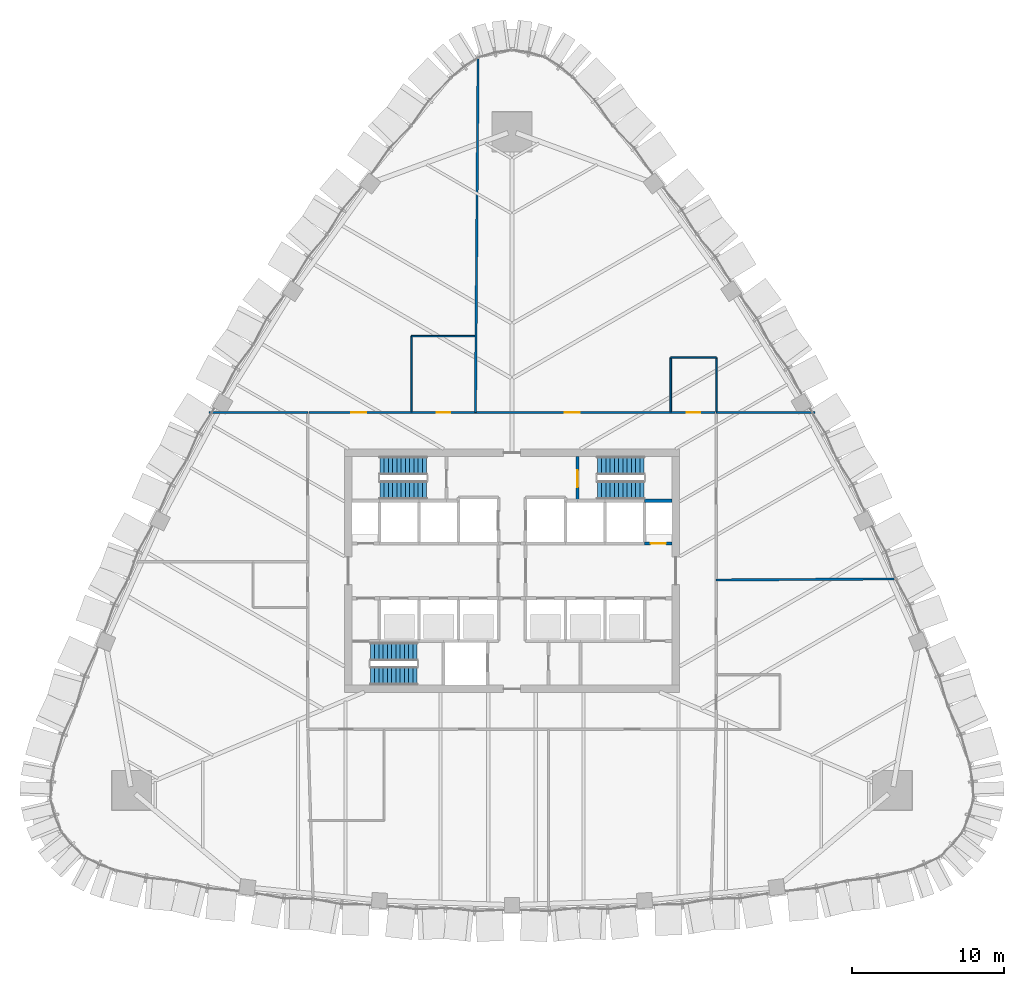
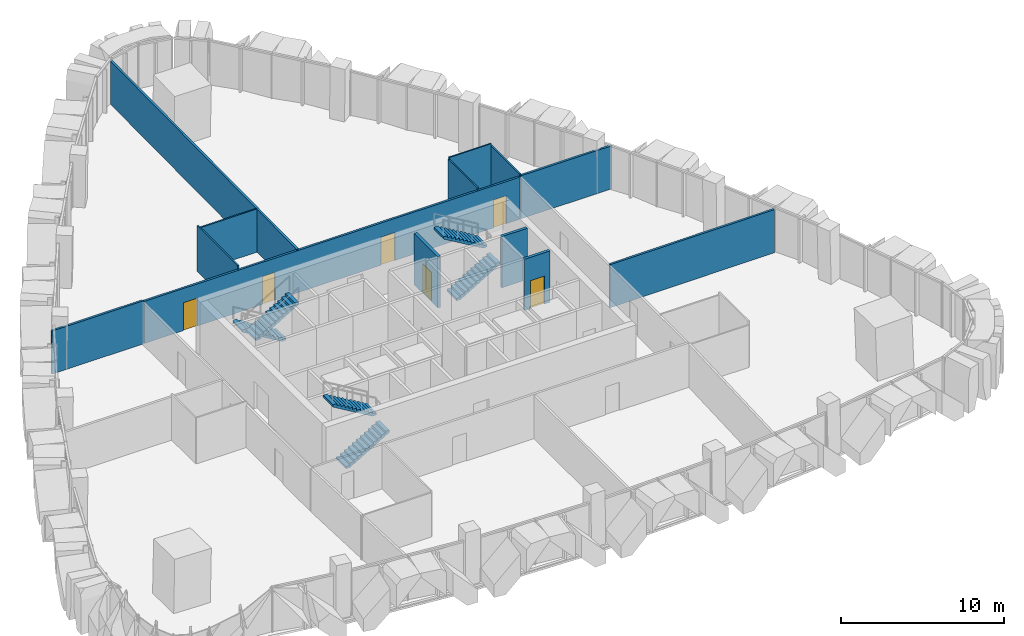
# One storey, part 14 of 18: 13 walls, 6 doors, 6 stair flights, 6 openings, 3 elements without a shape of their own.
"""IFC4 building model written with IfcOpenShell, lengths in metres."""

from ifc_helpers import new_model, si_unit, direction, frame, frame_2d, origin, place, context, subcontext, project, spatial, polyline, rectangle, outline, extrude, material, layer, layer_set, type_object, element, fill, aggregate, save


model = new_model("IFC4")

# Units and contexts
model_context = context("Model", 3, precision=1e-05, world=origin(), true_north=direction((0.0, 1.0)))
body_context = subcontext(model_context, "Body", "Model", "MODEL_VIEW")
ifc_project = project(units=[si_unit("LENGTHUNIT", "METRE"), si_unit("AREAUNIT", "SQUARE_METRE"), si_unit("VOLUMEUNIT", "CUBIC_METRE"), si_unit("PLANEANGLEUNIT", "RADIAN"), si_unit("MASSUNIT", "GRAM", prefix="KILO")], contexts=[model_context])

# Site, building, storey
site_placement = place(None, origin())
site = spatial("IfcSite", under=ifc_project, at=site_placement, CompositionType="ELEMENT")
building_placement = place(site_placement, origin())
building = spatial("IfcBuilding", under=site, at=building_placement, Name="Sierra Prisma Convention Tower", CompositionType="ELEMENT")
storey_placement = place(building_placement, frame((0.0, 0.0, 129.800048828125)))
storey = spatial("IfcBuildingStorey", under=building, at=storey_placement, Name="L27", CompositionType="ELEMENT", Elevation=129.800048828125)

# Walls
ifc_material_1 = material(Name="Gypsum board partition", Category="gypsum")
ifc_layer_1 = layer(ifc_material_1, 0.10009765625)
ifc_layer_set_1 = layer_set([ifc_layer_1], Name="Bathroom partition 100")
wall_type_1 = type_object("IfcWallType", Name="Bathroom partition 100", PredefinedType="PARTITIONING", material=ifc_layer_set_1)
wall_1_placement = place(storey_placement, frame((-6.60009765625, 10.429931640625, 0.0), z_axis=(0.0, 0.0, 1.0), x_axis=(0.0, 1.0, 0.0)))
element("IfcWall", 1, at=wall_1_placement, inside=storey, type_object=wall_type_1, Name="Partition L27 bath 5", PredefinedType="PARTITIONING", context=body_context, shape_type="SweptSolid", body=[
    extrude(rectangle(XDim=4.969970703125, YDim=0.10009765625, at=frame_2d((2.48486328125, 0.0))), origin(), (0.0, 0.0, 1.0), 3.449951171875),
])
wall_2_placement = place(storey_placement, frame((-6.60009765625, 15.39990234375, 0.0), z_axis=(0.0, 0.0, 1.0), x_axis=(1.0, 0.0, 0.0)))
element("IfcWall", 2, at=wall_2_placement, inside=storey, type_object=wall_type_1, Name="Partition L27 bath 6", PredefinedType="PARTITIONING", context=body_context, shape_type="SweptSolid", body=[
    extrude(rectangle(XDim=4.170166015625, YDim=0.10009765625, at=frame_2d((2.0849609375, 0.0))), origin(), (0.0, 0.0, 1.0), 3.2470703125),
])
wall_3_placement = place(storey_placement, frame((10.419921875, 10.429931640625, 0.0), z_axis=(0.0, 0.0, 1.0), x_axis=(0.0, 1.0, 0.0)))
element("IfcWall", 3, at=wall_3_placement, inside=storey, type_object=wall_type_1, Name="Partition L27 bath 7", PredefinedType="PARTITIONING", context=body_context, shape_type="SweptSolid", body=[
    extrude(rectangle(XDim=3.570068359375, YDim=0.10009765625, at=frame_2d((1.78515625, 0.0))), origin(), (0.0, 0.0, 1.0), 3.31689453125),
])
wall_4_placement = place(storey_placement, frame((10.419921875, 14.0, 0.0), z_axis=(0.0, 0.0, 1.0), x_axis=(1.0, 0.0, 0.0)))
element("IfcWall", 4, at=wall_4_placement, inside=storey, type_object=wall_type_1, Name="Partition L27 bath 8", PredefinedType="PARTITIONING", context=body_context, shape_type="SweptSolid", body=[
    extrude(rectangle(XDim=3.0, YDim=0.10009765625, at=frame_2d((1.5, 0.0))), origin(), (0.0, 0.0, 1.0), 3.449951171875),
])
wall_5_placement = place(storey_placement, frame((13.419921875, 14.0, 0.0), z_axis=(0.0, 0.0, 1.0), x_axis=(0.0, -1.0, 0.0)))
element("IfcWall", 5, at=wall_5_placement, inside=storey, type_object=wall_type_1, Name="Partition L27 bath 9", PredefinedType="PARTITIONING", context=body_context, shape_type="SweptSolid", body=[
    extrude(rectangle(XDim=3.570068359375, YDim=0.10009765625, at=frame_2d((1.78515625, 0.0))), origin(), (0.0, 0.0, 1.0), 3.31689453125),
])

# Wall, opening, door
ifc_material_2 = material(Name="Concrete C30/37", Category="concrete")
ifc_layer_2 = layer(ifc_material_2, 0.199951171875)
ifc_layer_set_2 = layer_set([ifc_layer_2], Name="Core wall RC 200 C30/37")
wall_type_2 = type_object("IfcWallType", Name="Core wall RC 200 C30/37", PredefinedType="SOLIDWALL", material=ifc_layer_set_2)
wall_6_placement = place(storey_placement, frame((4.300048828125, 7.5, 0.0), z_axis=(0.0, 0.0, 1.0), x_axis=(0.0, -1.0, 0.0)))
wall_6 = element("IfcWall", 6, at=wall_6_placement, inside=storey, type_object=wall_type_2, Name="Core wall L27 52", PredefinedType="SOLIDWALL", context=body_context, shape_type="SweptSolid", body=[
    extrude(rectangle(XDim=2.89990234375, YDim=0.199951171875, at=frame_2d((1.449951171875, 0.0))), origin(), (0.0, 0.0, 1.0), 3.849853515625),
])
opening_1_placement = place(wall_6_placement, frame((0.89990234375, 0.0, 0.0)))
opening_1 = element("IfcOpeningElement", 7, at=opening_1_placement, cuts=wall_6, Name="Opening L27-D019", PredefinedType="OPENING", context=body_context, shape_type="SweptSolid", body=[
    extrude(rectangle(XDim=1.10009765625, YDim=2.10009765625, at=frame_2d((0.550048828125, 1.050048828125))), frame((0.0, 0.10009765625, 0.0), z_axis=(0.0, -1.0, 0.0), x_axis=(1.0, 0.0, 0.0)), (0.0, 0.0, 1.0), 0.199951171875),
])
ifc_material_3 = material(Name="Steel fire door leaf", Category="steel")
door_type_1 = type_object("IfcDoorType", Name="Door 1100x2100 FD90S", OperationType="SINGLE_SWING_LEFT", PredefinedType="DOOR", material=ifc_material_3)
door_1_placement = place(opening_1_placement, origin())
door_1 = element("IfcDoor", 8, at=door_1_placement, inside=storey, type_object=door_type_1, Name="Door L27 32", OperationType="SINGLE_SWING_RIGHT", OverallHeight=2.10009765625, OverallWidth=1.10009765625, PredefinedType="DOOR", context=body_context, shape_type="SweptSolid", body=[
    extrude(rectangle(XDim=1.10009765625, YDim=2.10009765625, at=frame_2d((0.550048828125, 1.050048828125))), frame((0.0, 0.02490234375, 0.0), z_axis=(0.0, -1.0, 0.0), x_axis=(1.0, 0.0, 0.0)), (0.0, 0.0, 1.0), 0.050048828125),
])
fill(opening_1, door_1)

wall_7_placement = place(storey_placement, frame((10.5, 1.800048828125, 0.0), z_axis=(0.0, 0.0, 1.0), x_axis=(-1.0, 0.0, 0.0)))
wall_7 = element("IfcWall", 9, at=wall_7_placement, inside=storey, type_object=wall_type_2, Name="Core wall L27 64", PredefinedType="SOLIDWALL", context=body_context, shape_type="SweptSolid", body=[
    extrude(rectangle(XDim=1.800048828125, YDim=0.199951171875, at=frame_2d((0.89990234375, 0.0))), origin(), (0.0, 0.0, 1.0), 3.849853515625),
])
opening_2_placement = place(wall_7_placement, frame((0.39990234375, 0.0, 0.0)))
opening_2 = element("IfcOpeningElement", 10, at=opening_2_placement, cuts=wall_7, Name="Opening L27-D016", PredefinedType="OPENING", context=body_context, shape_type="SweptSolid", body=[
    extrude(rectangle(XDim=1.0, YDim=2.10009765625, at=frame_2d((0.5, 1.050048828125))), frame((0.0, 0.10009765625, 0.0), z_axis=(0.0, -1.0, 0.0), x_axis=(1.0, 0.0, 0.0)), (0.0, 0.0, 1.0), 0.199951171875),
])
ifc_material_4 = material(Name="Steel fire door leaf", Category="steel")
door_type_2 = type_object("IfcDoorType", Name="Door 1000x2100 FD60S", OperationType="SINGLE_SWING_LEFT", PredefinedType="DOOR", material=ifc_material_4)
door_2_placement = place(opening_2_placement, origin())
door_2 = element("IfcDoor", 11, at=door_2_placement, inside=storey, type_object=door_type_2, Name="Door L27 29", OperationType="SINGLE_SWING_LEFT", OverallHeight=2.10009765625, OverallWidth=1.0, PredefinedType="DOOR", context=body_context, shape_type="SweptSolid", body=[
    extrude(rectangle(XDim=1.0, YDim=2.10009765625, at=frame_2d((0.5, 1.050048828125))), frame((0.0, 0.02490234375, 0.0), z_axis=(0.0, -1.0, 0.0), x_axis=(1.0, 0.0, 0.0)), (0.0, 0.0, 1.0), 0.050048828125),
])
fill(opening_2, door_2)

# Wall
wall_8_placement = place(storey_placement, frame((10.5, 4.60009765625, 0.0), z_axis=(0.0, 0.0, 1.0), x_axis=(-1.0, 0.0, 0.0)))
element("IfcWall", 12, at=wall_8_placement, inside=storey, type_object=wall_type_2, Name="Core wall L27 66", PredefinedType="SOLIDWALL", context=body_context, shape_type="SweptSolid", body=[
    extrude(rectangle(XDim=1.800048828125, YDim=0.199951171875, at=frame_2d((0.89990234375, 0.0))), origin(), (0.0, 0.0, 1.0), 3.849853515625),
])

# Wall, openings, doors
ifc_material_5 = material(Name="Gypsum board partition", Category="gypsum")
ifc_layer_3 = layer(ifc_material_5, 0.14990234375)
ifc_layer_set_3 = layer_set([ifc_layer_3], Name="Corridor wall 150 gypsum EI 60")
wall_type_3 = type_object("IfcWallType", Name="Corridor wall 150 gypsum EI 60", PredefinedType="PARTITIONING", material=ifc_layer_set_3)
wall_9_placement = place(storey_placement, frame((13.320068359375, 10.39990234375, 0.0), z_axis=(0.0, 0.0, 1.0), x_axis=(-1.0, 0.0, 0.0)))
wall_9 = element("IfcWall", 13, at=wall_9_placement, inside=storey, type_object=wall_type_3, Name="Partition L27 corr 3", PredefinedType="PARTITIONING", context=body_context, shape_type="SweptSolid", body=[
    extrude(rectangle(XDim=26.64013671875, YDim=0.14990234375, at=frame_2d((13.320068359375, 0.0))), origin(), (0.0, 0.0, 1.0), 3.166015625),
])
opening_3_placement = place(wall_9_placement, frame((0.949951171875, 0.0, 0.0)))
opening_3 = element("IfcOpeningElement", 14, at=opening_3_placement, cuts=wall_9, Name="Opening L27-D024", PredefinedType="OPENING", context=body_context, shape_type="SweptSolid", body=[
    extrude(rectangle(XDim=0.89990234375, YDim=2.10009765625, at=frame_2d((0.449951171875, 1.050048828125))), frame((0.0, 0.074951171875, 0.0), z_axis=(0.0, -1.0, 0.0), x_axis=(1.0, 0.0, 0.0)), (0.0, 0.0, 1.0), 0.14990234375),
])
opening_4_placement = place(wall_9_placement, frame((8.860107421875, 0.0, 0.0)))
opening_4 = element("IfcOpeningElement", 15, at=opening_4_placement, cuts=wall_9, Name="Opening L27-D025", PredefinedType="OPENING", context=body_context, shape_type="SweptSolid", body=[
    extrude(rectangle(XDim=1.0, YDim=2.10009765625, at=frame_2d((0.5, 1.050048828125))), frame((0.0, 0.074951171875, 0.0), z_axis=(0.0, -1.0, 0.0), x_axis=(1.0, 0.0, 0.0)), (0.0, 0.0, 1.0), 0.14990234375),
])
opening_5_placement = place(wall_9_placement, frame((17.3701171875, 0.0, 0.0)))
opening_5 = element("IfcOpeningElement", 16, at=opening_5_placement, cuts=wall_9, Name="Opening L27-D026", PredefinedType="OPENING", context=body_context, shape_type="SweptSolid", body=[
    extrude(rectangle(XDim=0.89990234375, YDim=2.10009765625, at=frame_2d((0.449951171875, 1.050048828125))), frame((0.0, 0.074951171875, 0.0), z_axis=(0.0, -1.0, 0.0), x_axis=(1.0, 0.0, 0.0)), (0.0, 0.0, 1.0), 0.14990234375),
])
opening_6_placement = place(wall_9_placement, frame((22.8798828125, 0.0, 0.0)))
opening_6 = element("IfcOpeningElement", 17, at=opening_6_placement, cuts=wall_9, Name="Opening L27-D027", PredefinedType="OPENING", context=body_context, shape_type="SweptSolid", body=[
    extrude(rectangle(XDim=1.0, YDim=2.10009765625, at=frame_2d((0.5, 1.050048828125))), frame((0.0, 0.074951171875, 0.0), z_axis=(0.0, -1.0, 0.0), x_axis=(1.0, 0.0, 0.0)), (0.0, 0.0, 1.0), 0.14990234375),
])
ifc_material_6 = material(Name="Steel fire door leaf", Category="steel")
door_type_3 = type_object("IfcDoorType", Name="Door 1000x2100 FD30S", OperationType="SINGLE_SWING_LEFT", PredefinedType="DOOR", material=ifc_material_6)
door_3_placement = place(opening_4_placement, origin())
door_3 = element("IfcDoor", 18, at=door_3_placement, inside=storey, type_object=door_type_3, Name="Door L27 3", OperationType="SINGLE_SWING_RIGHT", OverallHeight=2.10009765625, OverallWidth=1.0, PredefinedType="DOOR", context=body_context, shape_type="SweptSolid", body=[
    extrude(rectangle(XDim=1.0, YDim=2.10009765625, at=frame_2d((0.5, 1.050048828125))), frame((0.0, 0.02490234375, 0.0), z_axis=(0.0, -1.0, 0.0), x_axis=(1.0, 0.0, 0.0)), (0.0, 0.0, 1.0), 0.050048828125),
])
fill(opening_4, door_3)
door_4_placement = place(opening_6_placement, origin())
door_4 = element("IfcDoor", 19, at=door_4_placement, inside=storey, type_object=door_type_3, Name="Door L27 5", OperationType="SINGLE_SWING_RIGHT", OverallHeight=2.10009765625, OverallWidth=1.0, PredefinedType="DOOR", context=body_context, shape_type="SweptSolid", body=[
    extrude(rectangle(XDim=1.0, YDim=2.10009765625, at=frame_2d((0.5, 1.050048828125))), frame((0.0, 0.02490234375, 0.0), z_axis=(0.0, -1.0, 0.0), x_axis=(1.0, 0.0, 0.0)), (0.0, 0.0, 1.0), 0.050048828125),
])
fill(opening_6, door_4)
ifc_material_7 = material(Name="Steel fire door leaf", Category="steel")
door_type_4 = type_object("IfcDoorType", Name="Door 900x2100 FD30S", OperationType="SINGLE_SWING_LEFT", PredefinedType="DOOR", material=ifc_material_7)
door_5_placement = place(opening_3_placement, origin())
door_5 = element("IfcDoor", 20, at=door_5_placement, inside=storey, type_object=door_type_4, Name="Door L27 2", OperationType="SINGLE_SWING_LEFT", OverallHeight=2.10009765625, OverallWidth=0.89990234375, PredefinedType="DOOR", context=body_context, shape_type="SweptSolid", body=[
    extrude(rectangle(XDim=0.89990234375, YDim=2.10009765625, at=frame_2d((0.449951171875, 1.050048828125))), frame((0.0, 0.02490234375, 0.0), z_axis=(0.0, -1.0, 0.0), x_axis=(1.0, 0.0, 0.0)), (0.0, 0.0, 1.0), 0.050048828125),
])
fill(opening_3, door_5)
door_6_placement = place(opening_5_placement, origin())
door_6 = element("IfcDoor", 21, at=door_6_placement, inside=storey, type_object=door_type_4, Name="Door L27 4", OperationType="SINGLE_SWING_RIGHT", OverallHeight=2.10009765625, OverallWidth=0.89990234375, PredefinedType="DOOR", context=body_context, shape_type="SweptSolid", body=[
    extrude(rectangle(XDim=0.89990234375, YDim=2.10009765625, at=frame_2d((0.449951171875, 1.050048828125))), frame((0.0, 0.02490234375, 0.0), z_axis=(0.0, -1.0, 0.0), x_axis=(1.0, 0.0, 0.0)), (0.0, 0.0, 1.0), 0.050048828125),
])
fill(opening_5, door_6)

# Walls
ifc_material_8 = material(Name="Gypsum board partition", Category="gypsum")
ifc_layer_4 = layer(ifc_material_8, 0.14990234375)
ifc_layer_set_4 = layer_set([ifc_layer_4], Name="Party wall 150 gypsum")
wall_type_4 = type_object("IfcWallType", Name="Party wall 150 gypsum", PredefinedType="PARTITIONING", material=ifc_layer_set_4)
wall_10_placement = place(storey_placement, frame((-13.39990234375, 10.39990234375, 0.0), z_axis=(0.0, 0.0, 1.0), x_axis=(-1.0, 0.0, 0.0)))
element("IfcWall", 22, at=wall_10_placement, inside=storey, type_object=wall_type_4, Name="Partition L27 party 2", PredefinedType="PARTITIONING", context=body_context, shape_type="SweptSolid", body=[
    extrude(rectangle(XDim=6.47998046875, YDim=0.14990234375, at=frame_2d((3.239990234375, 0.0))), origin(), (0.0, 0.0, 1.0), 3.23388671875),
])
wall_11_placement = place(storey_placement, frame((-2.39990234375, 10.39990234375, 0.0), z_axis=(0.0, 0.0, 1.0), x_axis=(0.007511702972, 0.999971786761, 0.0)))
element("IfcWall", 23, at=wall_11_placement, inside=storey, type_object=wall_type_4, Name="Partition L27 party 4", PredefinedType="PARTITIONING", context=body_context, shape_type="SweptSolid", body=[
    extrude(rectangle(XDim=23.2060546875, YDim=0.14990234375, at=frame_2d((11.60302734375, 0.0))), origin(), (0.0, 0.0, 1.0), 3.23388671875),
])
wall_12_placement = place(storey_placement, frame((25.10400390625, -0.530517578125, 0.0), z_axis=(0.0, 0.0, 1.0), x_axis=(-0.999982329365, -0.005944826113, 0.0)))
element("IfcWall", 24, at=wall_12_placement, inside=storey, type_object=wall_type_4, Name="Partition L27 party 7", PredefinedType="PARTITIONING", context=body_context, shape_type="SweptSolid", body=[
    extrude(rectangle(XDim=11.704345703125, YDim=0.14990234375, at=frame_2d((5.85205078125, 0.0))), origin(), (0.0, 0.0, 1.0), 3.23388671875),
])
wall_13_placement = place(storey_placement, frame((13.39990234375, 10.39990234375, 0.0), z_axis=(0.0, 0.0, 1.0), x_axis=(1.0, 0.0, 0.0)))
element("IfcWall", 25, at=wall_13_placement, inside=storey, type_object=wall_type_4, Name="Partition L27 party 8", PredefinedType="PARTITIONING", context=body_context, shape_type="SweptSolid", body=[
    extrude(rectangle(XDim=6.47998046875, YDim=0.14990234375, at=frame_2d((3.239990234375, 0.0))), origin(), (0.0, 0.0, 1.0), 3.23388671875),
])

# Stair, stair flights
ifc_material_9 = material(Name="Concrete C30/37", Category="concrete")
stair_type = type_object("IfcStairType", Name="Stair dog-leg 1200 RC", PredefinedType="HALF_TURN_STAIR", material=ifc_material_9)
stair_1_placement = place(storey_placement, origin())
stair_1 = element("IfcStair", 26, at=stair_1_placement, inside=storey, type_object=stair_type, Name="L27 S1", PredefinedType="HALF_TURN_STAIR")
ifc_material_10 = material(Name="Concrete C30/37", Category="concrete")
stair_flight_type = type_object("IfcStairFlightType", Name="Stair flight RC 1200", PredefinedType="STRAIGHT", material=ifc_material_10)
stair_flight_1_placement = place(storey_placement, frame((-9.300048828125, -6.89990234375, 0.0), z_axis=(0.0, 0.0, 1.0), x_axis=(1.0, 0.0, 0.0)))
stair_flight_1 = element("IfcStairFlight", 27, at=stair_flight_1_placement, type_object=stair_flight_type, Name="S1 flight 1", NumberOfRisers=12, NumberOfTreads=11, PredefinedType="STRAIGHT", RiserHeight=0.166666667, TreadLength=0.28, context=body_context, shape_type="SweptSolid", body=[
    extrude(outline(polyline([(0.0, 0.0), (0.0, 0.166748046875), (0.280029296875, 0.166748046875), (0.280029296875, 0.333251953125), (0.56005859375, 0.333251953125), (0.56005859375, 0.5), (0.840087890625, 0.5), (0.840087890625, 0.666748046875), (1.1201171875, 0.666748046875), (1.1201171875, 0.833251953125), (1.39990234375, 0.833251953125), (1.39990234375, 1.0), (1.679931640625, 1.0), (1.679931640625, 1.166748046875), (1.9599609375, 1.166748046875), (1.9599609375, 1.333251953125), (2.239990234375, 1.333251953125), (2.239990234375, 1.5), (2.52001953125, 1.5), (2.52001953125, 1.666748046875), (2.800048828125, 1.666748046875), (2.800048828125, 1.833251953125), (3.080078125, 1.833251953125), (3.080078125, 2.0), (3.080078125, 1.658935546875), (0.29296875, 0.0), (0.0, 0.0)])), frame((0.0, 0.60009765625, 0.0), z_axis=(0.0, -1.0, 0.0), x_axis=(1.0, 0.0, 0.0)), (0.0, 0.0, 1.0), 1.199951171875),
])
stair_flight_2_placement = place(storey_placement, frame((-6.219970703125, -5.300048828125, 2.0), z_axis=(0.0, 0.0, 1.0), x_axis=(-1.0, 0.0, 0.0)))
stair_flight_2 = element("IfcStairFlight", 28, at=stair_flight_2_placement, type_object=stair_flight_type, Name="S1 flight 2", NumberOfRisers=12, NumberOfTreads=11, PredefinedType="STRAIGHT", RiserHeight=0.166666667, TreadLength=0.28, context=body_context, shape_type="SweptSolid", body=[
    extrude(outline(polyline([(0.0, 0.0), (0.0, 0.166748046875), (0.280029296875, 0.166748046875), (0.280029296875, 0.333251953125), (0.56005859375, 0.333251953125), (0.56005859375, 0.5), (0.840087890625, 0.5), (0.840087890625, 0.666748046875), (1.1201171875, 0.666748046875), (1.1201171875, 0.833251953125), (1.39990234375, 0.833251953125), (1.39990234375, 1.0), (1.679931640625, 1.0), (1.679931640625, 1.166748046875), (1.9599609375, 1.166748046875), (1.9599609375, 1.333251953125), (2.239990234375, 1.333251953125), (2.239990234375, 1.5), (2.52001953125, 1.5), (2.52001953125, 1.666748046875), (2.800048828125, 1.666748046875), (2.800048828125, 1.833251953125), (3.080078125, 1.833251953125), (3.080078125, 2.0), (3.080078125, 1.658935546875), (0.29296875, 0.0), (0.0, 0.0)])), frame((0.0, 0.60009765625, 0.0), z_axis=(0.0, -1.0, 0.0), x_axis=(1.0, 0.0, 0.0)), (0.0, 0.0, 1.0), 1.199951171875),
])
aggregate(stair_1, [stair_flight_1, stair_flight_2])

stair_2_placement = place(storey_placement, origin())
stair_2 = element("IfcStair", 29, at=stair_2_placement, inside=storey, type_object=stair_type, Name="L27 S3", PredefinedType="HALF_TURN_STAIR")
stair_flight_3_placement = place(storey_placement, frame((-5.60009765625, 6.89990234375, 0.0), z_axis=(0.0, 0.0, 1.0), x_axis=(-1.0, 0.0, 0.0)))
stair_flight_3 = element("IfcStairFlight", 30, at=stair_flight_3_placement, type_object=stair_flight_type, Name="S3 flight 1", NumberOfRisers=12, NumberOfTreads=11, PredefinedType="STRAIGHT", RiserHeight=0.166666667, TreadLength=0.28, context=body_context, shape_type="SweptSolid", body=[
    extrude(outline(polyline([(0.0, 0.0), (0.0, 0.166748046875), (0.280029296875, 0.166748046875), (0.280029296875, 0.333251953125), (0.56005859375, 0.333251953125), (0.56005859375, 0.5), (0.840087890625, 0.5), (0.840087890625, 0.666748046875), (1.1201171875, 0.666748046875), (1.1201171875, 0.833251953125), (1.39990234375, 0.833251953125), (1.39990234375, 1.0), (1.679931640625, 1.0), (1.679931640625, 1.166748046875), (1.9599609375, 1.166748046875), (1.9599609375, 1.333251953125), (2.239990234375, 1.333251953125), (2.239990234375, 1.5), (2.52001953125, 1.5), (2.52001953125, 1.666748046875), (2.800048828125, 1.666748046875), (2.800048828125, 1.833251953125), (3.080078125, 1.833251953125), (3.080078125, 2.0), (3.080078125, 1.658935546875), (0.29296875, 0.0), (0.0, 0.0)])), frame((0.0, 0.60009765625, 0.0), z_axis=(0.0, -1.0, 0.0), x_axis=(1.0, 0.0, 0.0)), (0.0, 0.0, 1.0), 1.199951171875),
])
stair_flight_4_placement = place(storey_placement, frame((-8.679931640625, 5.300048828125, 2.0), z_axis=(0.0, 0.0, 1.0), x_axis=(1.0, 0.0, 0.0)))
stair_flight_4 = element("IfcStairFlight", 31, at=stair_flight_4_placement, type_object=stair_flight_type, Name="S3 flight 2", NumberOfRisers=12, NumberOfTreads=11, PredefinedType="STRAIGHT", RiserHeight=0.166666667, TreadLength=0.28, context=body_context, shape_type="SweptSolid", body=[
    extrude(outline(polyline([(0.0, 0.0), (0.0, 0.166748046875), (0.280029296875, 0.166748046875), (0.280029296875, 0.333251953125), (0.56005859375, 0.333251953125), (0.56005859375, 0.5), (0.840087890625, 0.5), (0.840087890625, 0.666748046875), (1.1201171875, 0.666748046875), (1.1201171875, 0.833251953125), (1.39990234375, 0.833251953125), (1.39990234375, 1.0), (1.679931640625, 1.0), (1.679931640625, 1.166748046875), (1.9599609375, 1.166748046875), (1.9599609375, 1.333251953125), (2.239990234375, 1.333251953125), (2.239990234375, 1.5), (2.52001953125, 1.5), (2.52001953125, 1.666748046875), (2.800048828125, 1.666748046875), (2.800048828125, 1.833251953125), (3.080078125, 1.833251953125), (3.080078125, 2.0), (3.080078125, 1.658935546875), (0.29296875, 0.0), (0.0, 0.0)])), frame((0.0, 0.60009765625, 0.0), z_axis=(0.0, -1.0, 0.0), x_axis=(1.0, 0.0, 0.0)), (0.0, 0.0, 1.0), 1.199951171875),
])
aggregate(stair_2, [stair_flight_3, stair_flight_4])

stair_3_placement = place(storey_placement, origin())
stair_3 = element("IfcStair", 32, at=stair_3_placement, inside=storey, type_object=stair_type, Name="L27 S4", PredefinedType="HALF_TURN_STAIR")
stair_flight_5_placement = place(storey_placement, frame((5.60009765625, 5.300048828125, 0.0), z_axis=(0.0, 0.0, 1.0), x_axis=(1.0, 0.0, 0.0)))
stair_flight_5 = element("IfcStairFlight", 33, at=stair_flight_5_placement, type_object=stair_flight_type, Name="S4 flight 1", NumberOfRisers=12, NumberOfTreads=11, PredefinedType="STRAIGHT", RiserHeight=0.166666667, TreadLength=0.28, context=body_context, shape_type="SweptSolid", body=[
    extrude(outline(polyline([(0.0, 0.0), (0.0, 0.166748046875), (0.280029296875, 0.166748046875), (0.280029296875, 0.333251953125), (0.56005859375, 0.333251953125), (0.56005859375, 0.5), (0.840087890625, 0.5), (0.840087890625, 0.666748046875), (1.1201171875, 0.666748046875), (1.1201171875, 0.833251953125), (1.39990234375, 0.833251953125), (1.39990234375, 1.0), (1.679931640625, 1.0), (1.679931640625, 1.166748046875), (1.9599609375, 1.166748046875), (1.9599609375, 1.333251953125), (2.239990234375, 1.333251953125), (2.239990234375, 1.5), (2.52001953125, 1.5), (2.52001953125, 1.666748046875), (2.800048828125, 1.666748046875), (2.800048828125, 1.833251953125), (3.080078125, 1.833251953125), (3.080078125, 2.0), (3.080078125, 1.658935546875), (0.29296875, 0.0), (0.0, 0.0)])), frame((0.0, 0.60009765625, 0.0), z_axis=(0.0, -1.0, 0.0), x_axis=(1.0, 0.0, 0.0)), (0.0, 0.0, 1.0), 1.199951171875),
])
stair_flight_6_placement = place(storey_placement, frame((8.679931640625, 6.89990234375, 2.0), z_axis=(0.0, 0.0, 1.0), x_axis=(-1.0, 0.0, 0.0)))
stair_flight_6 = element("IfcStairFlight", 34, at=stair_flight_6_placement, type_object=stair_flight_type, Name="S4 flight 2", NumberOfRisers=12, NumberOfTreads=11, PredefinedType="STRAIGHT", RiserHeight=0.166666667, TreadLength=0.28, context=body_context, shape_type="SweptSolid", body=[
    extrude(outline(polyline([(0.0, 0.0), (0.0, 0.166748046875), (0.280029296875, 0.166748046875), (0.280029296875, 0.333251953125), (0.56005859375, 0.333251953125), (0.56005859375, 0.5), (0.840087890625, 0.5), (0.840087890625, 0.666748046875), (1.1201171875, 0.666748046875), (1.1201171875, 0.833251953125), (1.39990234375, 0.833251953125), (1.39990234375, 1.0), (1.679931640625, 1.0), (1.679931640625, 1.166748046875), (1.9599609375, 1.166748046875), (1.9599609375, 1.333251953125), (2.239990234375, 1.333251953125), (2.239990234375, 1.5), (2.52001953125, 1.5), (2.52001953125, 1.666748046875), (2.800048828125, 1.666748046875), (2.800048828125, 1.833251953125), (3.080078125, 1.833251953125), (3.080078125, 2.0), (3.080078125, 1.658935546875), (0.29296875, 0.0), (0.0, 0.0)])), frame((0.0, 0.60009765625, 0.0), z_axis=(0.0, -1.0, 0.0), x_axis=(1.0, 0.0, 0.0)), (0.0, 0.0, 1.0), 1.199951171875),
])
aggregate(stair_3, [stair_flight_5, stair_flight_6])

save(model, "model.ifc")
